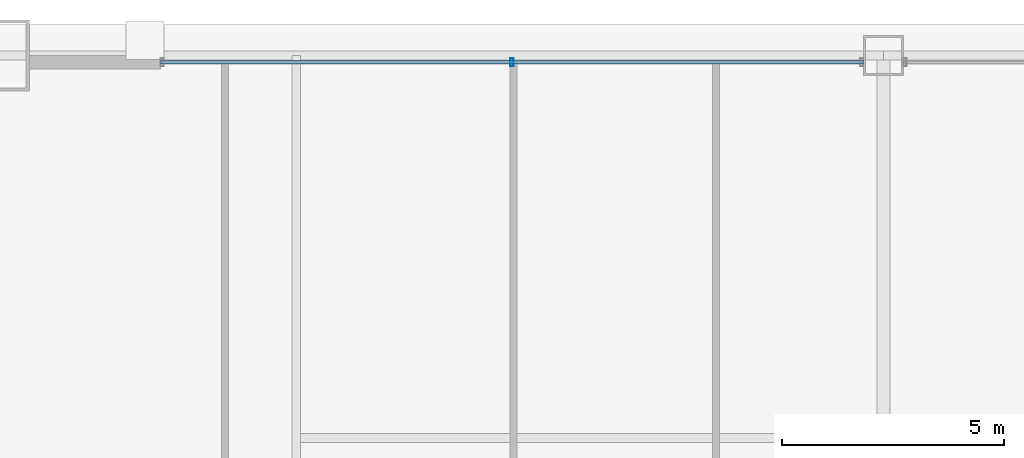
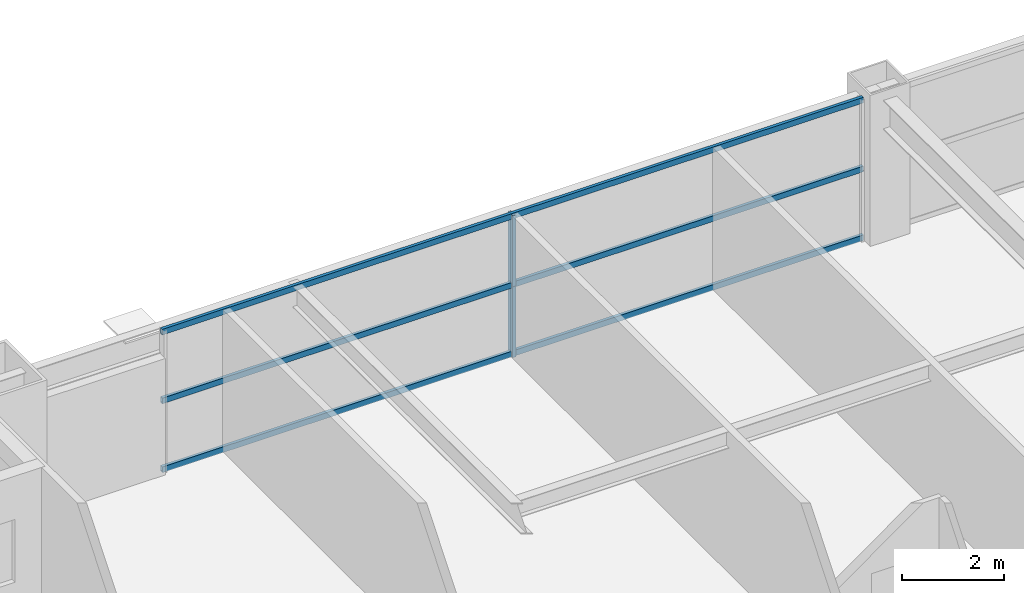
# One storey, part 24 of 38: 5 members, 1 element without a shape of its own.
"""IFC4 building model written with IfcOpenShell, lengths in metres."""

from ifc_helpers import new_model, si_unit, direction, frame, origin, origin_2d, place, context, subcontext, project, spatial, hollow_rectangle, extrude, source, transform, mapped, material, layer, layer_set, material_profile, profile_set, type_object, element, aggregate, save


model = new_model("IFC4")

# Units and contexts
model_context = context("Model", 3, precision=1e-05, world=origin(), true_north=direction((0.0, 1.0)))
body_context = subcontext(model_context, "Body", "Model", "MODEL_VIEW")
ifc_project = project(units=[si_unit("LENGTHUNIT", "METRE"), si_unit("AREAUNIT", "SQUARE_METRE"), si_unit("VOLUMEUNIT", "CUBIC_METRE"), si_unit("PLANEANGLEUNIT", "RADIAN"), si_unit("MASSUNIT", "GRAM", prefix="KILO"), si_unit("THERMODYNAMICTEMPERATUREUNIT", "KELVIN"), si_unit("POWERUNIT", "WATT")], contexts=[model_context])

# Site, building, storey
site_placement = place(None, origin())
site = spatial("IfcSite", under=ifc_project, at=site_placement, CompositionType="ELEMENT")
building_placement = place(site_placement, origin())
building = spatial("IfcBuilding", under=site, at=building_placement, Name="Yuzanri Waterfront Tower", CompositionType="ELEMENT")
storey_placement = place(building_placement, frame((0.0, 0.0, 97.39990234375)))
storey = spatial("IfcBuildingStorey", under=building, at=storey_placement, Name="L25", CompositionType="ELEMENT", Elevation=97.39990234375)

# Curtain wall, members
ifc_material_1 = material(Name="Anodized Architectural Bronze", Category="metal")
ifc_layer = layer(ifc_material_1, 0.159912109375)
ifc_layer_set = layer_set([ifc_layer], Name="Anodized Architectural Bronze")
curtain_wall_type = type_object("IfcCurtainWallType", Name="Anodized Bronze Hotel Upper-Tier Solar-Control Unitized Curtain Wall 7800", PredefinedType="NOTDEFINED", material=ifc_layer_set)
curtain_wall_placement = place(storey_placement, origin())
curtain_wall = element("IfcCurtainWall", 1, at=curtain_wall_placement, inside=storey, type_object=curtain_wall_type, Name="L25 Curtain Wall CW-L25-NL", PredefinedType="NOTDEFINED")
ifc_material_2 = material(Name="Anodized Architectural Bronze", Category="metal")
ifc_material_profile_1 = material_profile(ifc_material_2, hollow_rectangle(XDim=0.070068359375, YDim=0.179931640625, WallThickness=0.00390625, at=origin_2d()), Name="CWM 70x180")
ifc_profile_set_1 = profile_set([ifc_material_profile_1], Name="Anodized Architectural Bronze")
member_type_1 = type_object("IfcMemberType", Name="Anodized Bronze Standard Curtain-Wall Mullion 70x180", PredefinedType="MULLION", material=ifc_profile_set_1)
shared_shape_1 = source(origin(), body_context, "Body", "SweptSolid", [
    extrude(hollow_rectangle(XDim=0.070068359375, YDim=0.179931640625, WallThickness=0.00390625, at=origin_2d()), origin(), (0.0, 0.0, 1.0), 1.68798828125),
])
member_1_placement = place(storey_placement, frame((28.64990234375, 49.25, 0.0), z_axis=(0.0, 0.0, 1.0), x_axis=(1.0, 0.0, 0.0)))
member_1 = element("IfcMember", 2, at=member_1_placement, type_object=member_type_1, Name="CW-L25-NL Lower Mullion 01", PredefinedType="MULLION", context=body_context, shape_type="MappedRepresentation", body=[
    mapped(shared_shape_1, transform((0.0, 0.0, 0.0), scale=1.0)),
])
member_2_placement = place(storey_placement, frame((28.64990234375, 49.25, 1.692138671875), z_axis=(0.0, 0.0, 1.0), x_axis=(1.0, 0.0, 0.0)))
member_2 = element("IfcMember", 3, at=member_2_placement, type_object=member_type_1, Name="CW-L25-NL Upper Mullion 01", PredefinedType="MULLION", context=body_context, shape_type="MappedRepresentation", body=[
    mapped(shared_shape_1, transform((0.0, 0.0, 0.0), scale=1.0)),
])
ifc_material_3 = material(Name="Anodized Architectural Bronze", Category="metal")
ifc_material_profile_2 = material_profile(ifc_material_3, hollow_rectangle(XDim=0.070068359375, YDim=0.135009765625, WallThickness=0.00341796875, at=origin_2d()), Name="CWT 70x135")
ifc_profile_set_2 = profile_set([ifc_material_profile_2], Name="Anodized Architectural Bronze")
member_type_2 = type_object("IfcMemberType", Name="Anodized Bronze Standard Curtain-Wall Transom 70x135", PredefinedType="USERDEFINED", material=ifc_profile_set_2)
shared_shape_2 = source(origin(), body_context, "Body", "SweptSolid", [
    extrude(hollow_rectangle(XDim=0.070068359375, YDim=0.135009765625, WallThickness=0.00341796875, at=origin_2d()), origin(), (0.0, 0.0, 1.0), 15.800048828125),
])
member_3_placement = place(storey_placement, frame((20.75, 49.25, 0.050048828125), z_axis=(1.0, 0.0, 0.0), x_axis=(0.0, 1.0, 0.0)))
member_3 = element("IfcMember", 4, at=member_3_placement, type_object=member_type_2, Name="CW-L25-NL Transom 1", ObjectType="TRANSOM", PredefinedType="USERDEFINED", context=body_context, shape_type="MappedRepresentation", body=[
    mapped(shared_shape_2, transform((0.0, 0.0, 0.0), scale=1.0)),
])
member_4_placement = place(storey_placement, frame((20.75, 49.25, 1.690185546875), z_axis=(1.0, 0.0, 0.0), x_axis=(0.0, 1.0, 0.0)))
member_4 = element("IfcMember", 5, at=member_4_placement, type_object=member_type_2, Name="CW-L25-NL Transom 2", ObjectType="TRANSOM", PredefinedType="USERDEFINED", context=body_context, shape_type="MappedRepresentation", body=[
    mapped(shared_shape_2, transform((0.0, 0.0, 0.0), scale=1.0)),
])
member_5_placement = place(storey_placement, frame((20.75, 49.25, 3.330078125), z_axis=(1.0, 0.0, 0.0), x_axis=(0.0, 1.0, 0.0)))
member_5 = element("IfcMember", 6, at=member_5_placement, type_object=member_type_2, Name="CW-L25-NL Transom 3", ObjectType="TRANSOM", PredefinedType="USERDEFINED", context=body_context, shape_type="MappedRepresentation", body=[
    mapped(shared_shape_2, transform((0.0, 0.0, 0.0), scale=1.0)),
])
aggregate(curtain_wall, [member_1, member_2, member_3, member_4, member_5])

save(model, "model.ifc")
